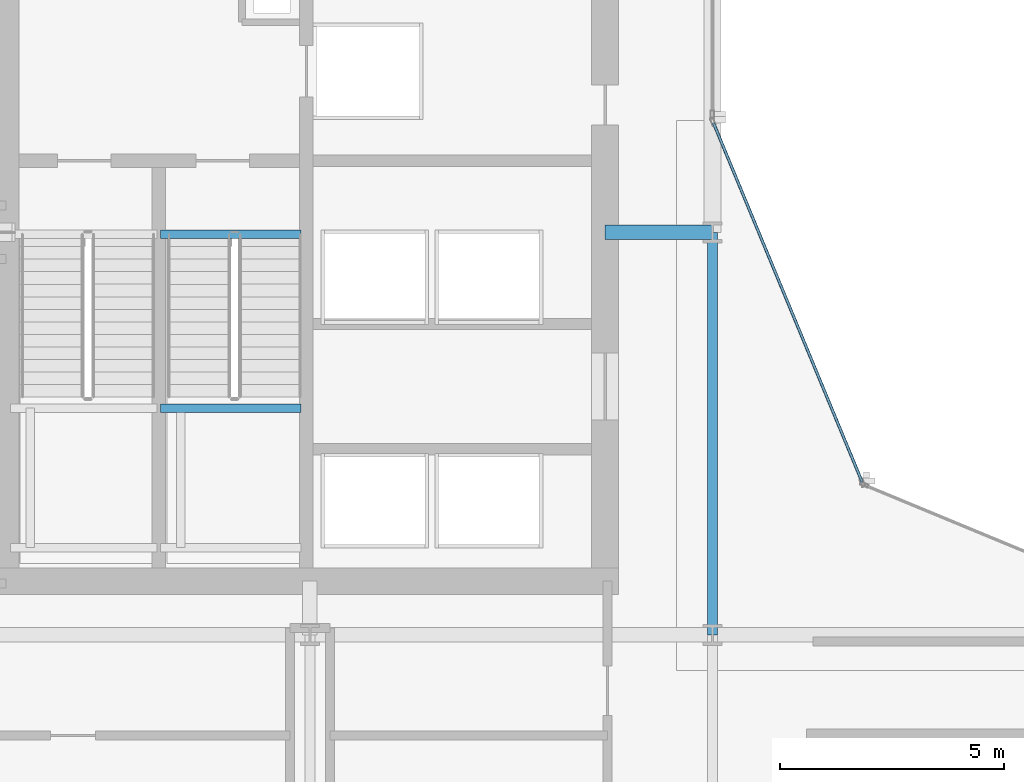
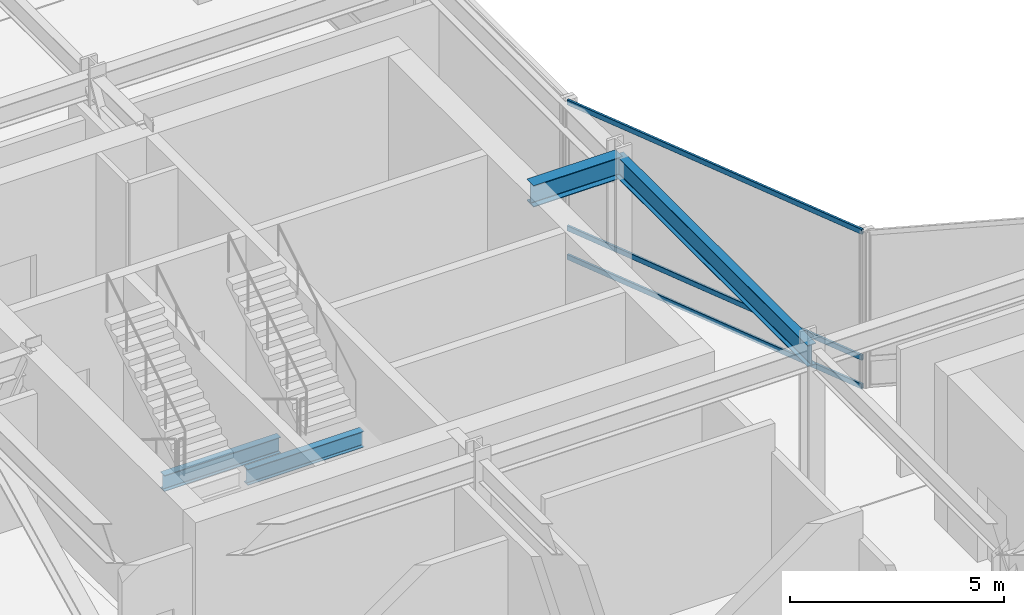
# One storey, part 22 of 42: 4 beams, 3 members, 1 element without a shape of its own.
"""IFC4 building model written with IfcOpenShell, lengths in metres."""

from ifc_helpers import new_model, si_unit, direction, frame, origin, origin_2d, place, context, subcontext, project, spatial, hollow_rectangle, i_section, extrude, material, layer, layer_set, material_profile, profile_set, type_object, element, aggregate, save


model = new_model("IFC4")

# Units and contexts
model_context = context("Model", 3, precision=1e-05, world=origin(), true_north=direction((0.0, 1.0)))
body_context = subcontext(model_context, "Body", "Model", "MODEL_VIEW")
ifc_project = project(units=[si_unit("LENGTHUNIT", "METRE"), si_unit("AREAUNIT", "SQUARE_METRE"), si_unit("VOLUMEUNIT", "CUBIC_METRE"), si_unit("PLANEANGLEUNIT", "RADIAN"), si_unit("MASSUNIT", "GRAM", prefix="KILO")], contexts=[model_context])

# Site, building, storey
site_placement = place(None, origin())
site = spatial("IfcSite", under=ifc_project, at=site_placement, CompositionType="ELEMENT")
building_placement = place(site_placement, origin())
building = spatial("IfcBuilding", under=site, at=building_placement, Name="Solvaryn Broadcast Tower", CompositionType="ELEMENT")
storey_placement = place(building_placement, frame((0.0, 0.0, 100.199951171875)))
storey = spatial("IfcBuildingStorey", under=building, at=storey_placement, Name="L24", CompositionType="ELEMENT", Elevation=100.199951171875)

# Beams
ifc_material_1 = material(Name="Steel ASTM A992 Grade 50", Category="steel")
ifc_material_profile_1 = material_profile(ifc_material_1, i_section(OverallWidth=0.323974609375, OverallDepth=0.611083984375, WebThickness=0.0126953125, FlangeThickness=0.01904296875, FilletRadius=0.014892578125, at=origin_2d()))
ifc_profile_set_1 = profile_set([ifc_material_profile_1], Name="Steel ASTM A992 Grade 50")
beam_type_1 = type_object("IfcBeamType", Name="BM-B1-W24X104", PredefinedType="BEAM", material=ifc_profile_set_1)
beam_1_placement = place(storey_placement, frame((24.60009765625, 36.0, 4.16455078125), z_axis=(1.0, 0.0, 0.0), x_axis=(0.0, 1.0, 0.0)))
element("IfcBeam", 1, at=beam_1_placement, inside=storey, type_object=beam_type_1, Name="L24 Core Tie Beam CTW2", PredefinedType="BEAM", context=body_context, shape_type="SweptSolid", body=[
    extrude(i_section(OverallWidth=0.323974609375, OverallDepth=0.611083984375, WebThickness=0.0126953125, FlangeThickness=0.01904296875, FilletRadius=0.014892578125, at=origin_2d()), origin(), (0.0, 0.0, 1.0), 2.39990234375),
])
ifc_material_2 = material(Name="Steel ASTM A992 Grade 50", Category="steel")
ifc_material_profile_2 = material_profile(ifc_material_2, i_section(OverallWidth=0.22802734375, OverallDepth=0.60791015625, WebThickness=0.01123046875, FlangeThickness=0.017333984375, FilletRadius=0.014892578125, at=origin_2d()))
ifc_profile_set_2 = profile_set([ifc_material_profile_2], Name="Steel ASTM A992 Grade 50")
beam_type_2 = type_object("IfcBeamType", Name="BM-B2-W24X76", PredefinedType="BEAM", material=ifc_profile_set_2)
beam_2_placement = place(storey_placement, frame((27.0, 27.0, 4.166015625), z_axis=(0.0, 1.0, 0.0), x_axis=(-1.0, 0.0, 0.0)))
element("IfcBeam", 2, at=beam_2_placement, inside=storey, type_object=beam_type_2, Name="L24 Primary Beam Y (27-36 @ X=27)", PredefinedType="BEAM", context=body_context, shape_type="SweptSolid", body=[
    extrude(i_section(OverallWidth=0.22802734375, OverallDepth=0.60791015625, WebThickness=0.01123046875, FlangeThickness=0.017333984375, FilletRadius=0.014892578125, at=origin_2d()), origin(), (0.0, 0.0, 1.0), 9.0),
])
ifc_material_3 = material(Name="Steel ASTM A992 Grade 50", Category="steel")
ifc_material_profile_3 = material_profile(ifc_material_3, i_section(OverallWidth=0.18994140625, OverallDepth=0.45703125, WebThickness=0.009033203125, FlangeThickness=0.014404296875, FilletRadius=0.011962890625, at=origin_2d()))
ifc_profile_set_3 = profile_set([ifc_material_profile_3], Name="Steel ASTM A992 Grade 50")
beam_type_3 = type_object("IfcBeamType", Name="BM-B4-W18X50", PredefinedType="BEAM", material=ifc_profile_set_3)
for number, where, z_axis, x_axis, name in (
    (3, (14.659912109375, 35.9599609375, -0.558349609375), (1.0, 0.0, 0.0), (0.0, 1.0, 0.0), "L24 ST2 Stair Well Trimmer Beam"),
    (4, (14.659912109375, 32.070068359375, 1.971435546875), (1.0, 0.0, 0.0), (0.0, 1.0, 0.0), "L24 ST2 Landing Support Beam 1B"),
):
    element("IfcBeam", number, at=place(storey_placement, frame(where, z_axis=z_axis, x_axis=x_axis)), inside=storey, type_object=beam_type_3, Name=name, PredefinedType="BEAM", context=body_context, shape_type="SweptSolid", body=[
        extrude(i_section(OverallWidth=0.18994140625, OverallDepth=0.45703125, WebThickness=0.009033203125, FlangeThickness=0.014404296875, FilletRadius=0.011962890625, at=origin_2d()), origin(), (0.0, 0.0, 1.0), 3.14013671875),
    ])

# Curtain wall, members
ifc_material_4 = material(Name="Aluminium and Terracotta Unitised Curtain Wall", Category="masonry")
ifc_layer = layer(ifc_material_4, 0.199951171875)
ifc_layer_set = layer_set([ifc_layer], Name="CW-SYS2-LOWMID")
curtain_wall_type = type_object("IfcCurtainWallType", Name="CW-SYS2-LOWMID", PredefinedType="NOTDEFINED", material=ifc_layer_set)
curtain_wall_placement = place(storey_placement, origin())
curtain_wall = element("IfcCurtainWall", 5, at=curtain_wall_placement, inside=storey, type_object=curtain_wall_type, Name="L24 Curtain Wall CN2", PredefinedType="NOTDEFINED")
ifc_material_5 = material(Name="Anodised Aluminium 6063-T6", Category="aluminium")
ifc_material_profile_4 = material_profile(ifc_material_5, hollow_rectangle(XDim=0.06494140625, YDim=0.14990234375, WallThickness=0.00390625, InnerFilletRadius=0.00390625, OuterFilletRadius=0.008056640625, at=origin_2d()))
ifc_profile_set_4 = profile_set([ifc_material_profile_4], Name="Anodised Aluminium 6063-T6")
member_type = type_object("IfcMemberType", Name="CW-TRN-150", PredefinedType="USERDEFINED", material=ifc_profile_set_4)
member_1_placement = place(storey_placement, frame((30.344970703125, 30.42333984375, 0.030029296875), z_axis=(-0.382635748975, 0.923899282177, 0.0), x_axis=(-0.923899282177, -0.382635748975, 0.0)))
member_1 = element("IfcMember", 6, at=member_1_placement, type_object=member_type, Name="CWS2 transom 1.1", ObjectType="TRANSOM", PredefinedType="USERDEFINED", context=body_context, shape_type="SweptSolid", body=[
    extrude(hollow_rectangle(XDim=0.06494140625, YDim=0.14990234375, WallThickness=0.00390625, InnerFilletRadius=0.00390625, OuterFilletRadius=0.008056640625, at=origin_2d()), origin(), (0.0, 0.0, 1.0), 8.681884765625),
])
member_2_placement = place(storey_placement, frame((30.344970703125, 30.42333984375, 0.85009765625), z_axis=(-0.382635748975, 0.923899282177, 0.0), x_axis=(-0.923899282177, -0.382635748975, 0.0)))
member_2 = element("IfcMember", 7, at=member_2_placement, type_object=member_type, Name="CWS2 transom 1.2", ObjectType="TRANSOM", PredefinedType="USERDEFINED", context=body_context, shape_type="SweptSolid", body=[
    extrude(hollow_rectangle(XDim=0.06494140625, YDim=0.14990234375, WallThickness=0.00390625, InnerFilletRadius=0.00390625, OuterFilletRadius=0.008056640625, at=origin_2d()), origin(), (0.0, 0.0, 1.0), 8.681884765625),
])
member_3_placement = place(storey_placement, frame((30.344970703125, 30.42333984375, 4.43994140625), z_axis=(-0.382635748975, 0.923899282177, 0.0), x_axis=(-0.923899282177, -0.382635748975, 0.0)))
member_3 = element("IfcMember", 8, at=member_3_placement, type_object=member_type, Name="CWS2 transom 1.3", ObjectType="TRANSOM", PredefinedType="USERDEFINED", context=body_context, shape_type="SweptSolid", body=[
    extrude(hollow_rectangle(XDim=0.06494140625, YDim=0.14990234375, WallThickness=0.00390625, InnerFilletRadius=0.00390625, OuterFilletRadius=0.008056640625, at=origin_2d()), origin(), (0.0, 0.0, 1.0), 8.681884765625),
])
aggregate(curtain_wall, [member_1, member_2, member_3])

save(model, "model.ifc")
